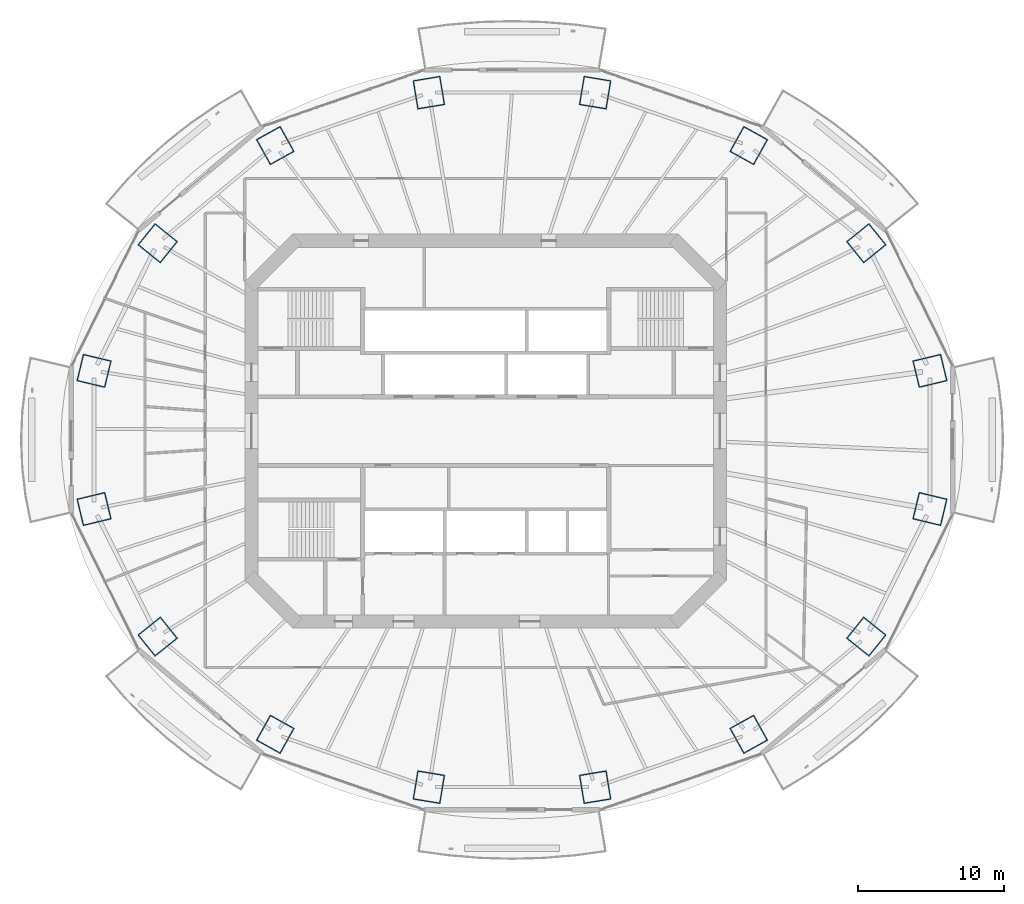
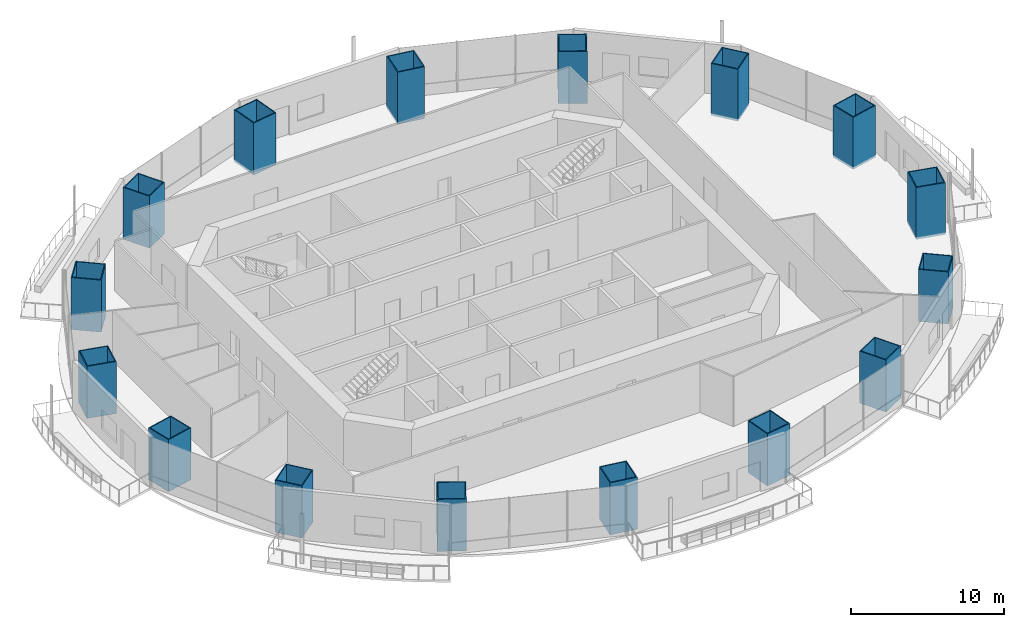
# One storey, part 1 of 19: 16 columns.
"""IFC4 building model written with IfcOpenShell, lengths in metres."""

from ifc_helpers import new_model, si_unit, direction, frame, origin, origin_2d, place, context, subcontext, project, spatial, rectangle, hollow_rectangle, extrude, material, material_profile, profile_set, type_object, element, save


model = new_model("IFC4")

# Units and contexts
model_context = context("Model", 3, precision=1e-05, world=origin(), true_north=direction((0.0, 1.0)))
body_context = subcontext(model_context, "Body", "Model", "MODEL_VIEW")
ifc_project = project(units=[si_unit("LENGTHUNIT", "METRE"), si_unit("AREAUNIT", "SQUARE_METRE"), si_unit("VOLUMEUNIT", "CUBIC_METRE"), si_unit("PLANEANGLEUNIT", "RADIAN"), si_unit("MASSUNIT", "GRAM", prefix="KILO")], contexts=[model_context])

# Site, building, storey
site_placement = place(None, origin())
site = spatial("IfcSite", under=ifc_project, at=site_placement, CompositionType="ELEMENT")
building_placement = place(site_placement, origin())
building = spatial("IfcBuilding", under=site, at=building_placement, Name="Marenthal Gate Tower", CompositionType="ELEMENT")
storey_placement = place(building_placement, frame((0.0, 0.0, 227.449951171875)))
storey = spatial("IfcBuildingStorey", under=building, at=storey_placement, Name="L50", CompositionType="ELEMENT", Elevation=227.449951171875)

# Columns
ifc_material_1 = material(Name="Steel S460", Category="steel")
ifc_material_profile_1 = material_profile(ifc_material_1, hollow_rectangle(XDim=1.89990234375, YDim=2.0, WallThickness=0.070068359375, at=origin_2d()), Name="CFT BOX 2000X1900X70")
ifc_material_2 = material(Name="Concrete 70 MPa", Category="concrete")
ifc_material_profile_2 = material_profile(ifc_material_2, rectangle(XDim=1.760009765625, YDim=1.860107421875, at=origin_2d()), Name="CFT BOX 2000X1900X70 INFILL")
ifc_profile_set = profile_set([ifc_material_profile_1, ifc_material_profile_2], Name="Steel S460 shell, Concrete 70 MPa infill")
column_type = type_object("IfcColumnType", Name="CFT BOX 2000X1900X70", PredefinedType="COLUMN", material=ifc_profile_set)
for number, where, z_axis, x_axis, name in (
    (1, (30.3486328125, 4.118408203125, -0.179931640625), (0.0, 0.0, 1.0), (0.232822478229, -0.972519251034, 0.0), "COL-L50-01"),
    (2, (26.00244140625, 12.83642578125, -0.179931640625), (0.0, 0.0, 1.0), (0.626684059922, -0.779273436632, 0.0), "COL-L50-02"),
    (3, (17.971435546875, 19.509033203125, -0.179931640625), (0.0, 0.0, 1.0), (0.87430051837, -0.485385005514, 0.0), "COL-L50-03"),
    (4, (7.478759765625, 23.120361328125, -0.179931640625), (0.0, 0.0, 1.0), (0.98661630943, -0.163059062814, 0.0), "COL-L50-04"),
    (5, (-3.878662109375, 23.120361328125, -0.179931640625), (0.0, 0.0, 1.0), (0.98661630943, 0.163059062814, 0.0), "COL-L50-05"),
    (6, (-14.37158203125, 19.509033203125, -0.179931640625), (0.0, 0.0, 1.0), (0.87430051837, 0.485385005514, 0.0), "COL-L50-06"),
    (7, (-22.40234375, 12.83642578125, -0.179931640625), (0.0, 0.0, 1.0), (0.626684059922, 0.779273436632, 0.0), "COL-L50-07"),
    (8, (-26.748779296875, 4.118408203125, -0.179931640625), (0.0, 0.0, 1.0), (0.232822478229, 0.972519251034, 0.0), "COL-L50-08"),
    (9, (-26.748779296875, -5.318359375, -0.179931640625), (0.0, 0.0, 1.0), (-0.232822478229, 0.972519251034, 0.0), "COL-L50-09"),
    (10, (-22.40234375, -14.03662109375, -0.179931640625), (0.0, 0.0, 1.0), (-0.626684059922, 0.779273436632, 0.0), "COL-L50-10"),
    (11, (-14.37158203125, -20.708984375, -0.179931640625), (0.0, 0.0, 1.0), (-0.87430051837, 0.485385005514, 0.0), "COL-L50-11"),
    (12, (-3.878662109375, -24.3203125, -0.179931640625), (0.0, 0.0, 1.0), (-0.98661630943, 0.163059062814, 0.0), "COL-L50-12"),
    (13, (7.478759765625, -24.3203125, -0.179931640625), (0.0, 0.0, 1.0), (-0.98661630943, -0.163059062814, 0.0), "COL-L50-13"),
    (14, (17.971435546875, -20.708984375, -0.179931640625), (0.0, 0.0, 1.0), (-0.87430051837, -0.485385005514, 0.0), "COL-L50-14"),
    (15, (26.00244140625, -14.03662109375, -0.179931640625), (0.0, 0.0, 1.0), (-0.626684059922, -0.779273436632, 0.0), "COL-L50-15"),
    (16, (30.3486328125, -5.318359375, -0.179931640625), (0.0, 0.0, 1.0), (-0.232822478229, -0.972519251034, 0.0), "COL-L50-16"),
):
    element("IfcColumn", number, at=place(storey_placement, frame(where, z_axis=z_axis, x_axis=x_axis)), inside=storey, type_object=column_type, Name=name, PredefinedType="COLUMN", context=body_context, shape_type="SweptSolid", body=[
        extrude(hollow_rectangle(XDim=1.89990234375, YDim=2.0, WallThickness=0.070068359375, at=origin_2d()), origin(), (0.0, 0.0, 1.0), 4.14990234375),
    ])

save(model, "model.ifc")
